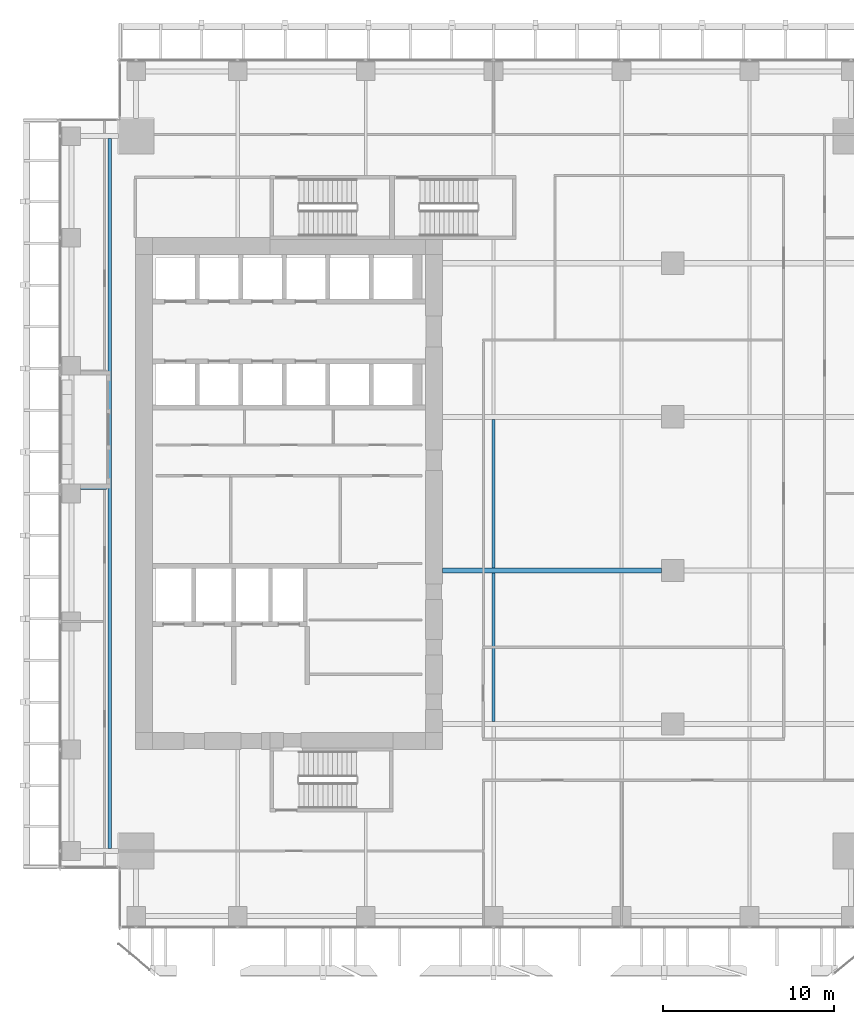
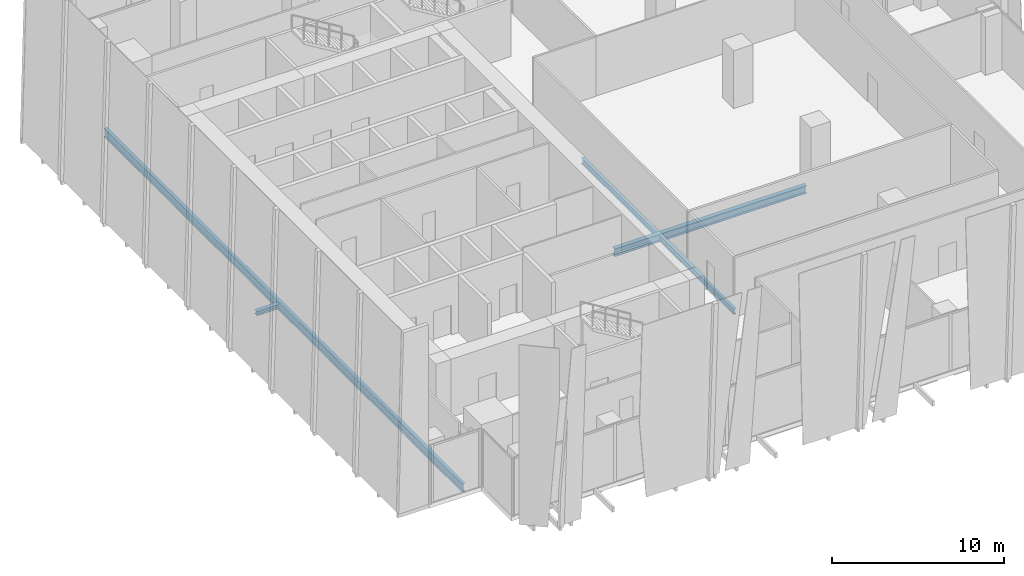
# One storey, part 6 of 35: 5 beams.
"""IFC4 building model written with IfcOpenShell, lengths in metres."""

from ifc_helpers import new_model, si_unit, direction, frame, origin, origin_2d, place, context, subcontext, project, spatial, i_section, extrude, source, transform, mapped, material, material_profile, profile_set, type_object, element, save


model = new_model("IFC4")

# Units and contexts
model_context = context("Model", 3, precision=1e-05, world=origin(), true_north=direction((0.0, 1.0)))
body_context = subcontext(model_context, "Body", "Model", "MODEL_VIEW")
ifc_project = project(units=[si_unit("LENGTHUNIT", "METRE"), si_unit("AREAUNIT", "SQUARE_METRE"), si_unit("VOLUMEUNIT", "CUBIC_METRE"), si_unit("PLANEANGLEUNIT", "RADIAN"), si_unit("MASSUNIT", "GRAM", prefix="KILO")], contexts=[model_context])

# Site, building, storey
site_placement = place(None, origin())
site = spatial("IfcSite", under=ifc_project, at=site_placement, CompositionType="ELEMENT")
building_placement = place(site_placement, origin())
building = spatial("IfcBuilding", under=site, at=building_placement, Name="Khomas Fold Tower", CompositionType="ELEMENT")
storey_placement = place(building_placement, frame((0.0, 0.0, 127.89990234375)))
storey = spatial("IfcBuildingStorey", under=building, at=storey_placement, Name="L27", CompositionType="ELEMENT", Elevation=127.89990234375)

# Beams
ifc_material_1 = material(Name="Steel S355", Category="steel")
ifc_material_profile_1 = material_profile(ifc_material_1, i_section(OverallWidth=0.179931640625, OverallDepth=0.39990234375, WebThickness=0.008544921875, FlangeThickness=0.013427734375, at=origin_2d()), Name="IPE 400")
ifc_profile_set_1 = profile_set([ifc_material_profile_1], Name="Steel S355")
beam_type_1 = type_object("IfcBeamType", Name="IPE 400 beam JB3", PredefinedType="BEAM", material=ifc_profile_set_1)
shared_shape_1 = source(origin(), body_context, "Body", "SweptSolid", [
    extrude(i_section(OverallWidth=0.179931640625, OverallDepth=0.39990234375, WebThickness=0.008544921875, FlangeThickness=0.013427734375, at=origin_2d()), origin(), (0.0, 0.0, 1.0), 8.7001953125),
])
for number, where, z_axis, x_axis, name in (
    (1, (27.0, 13.64990234375, -0.5), (0.0, 1.0, 0.0), (-1.0, 0.0, 0.0), "JB3"),
    (2, (27.0, 22.64990234375, -0.5), (0.0, 1.0, 0.0), (-1.0, 0.0, 0.0), "JB3"),
):
    element("IfcBeam", number, at=place(storey_placement, frame(where, z_axis=z_axis, x_axis=x_axis)), inside=storey, type_object=beam_type_1, Name=name, PredefinedType="BEAM", context=body_context, shape_type="MappedRepresentation", body=[
        mapped(shared_shape_1, transform((0.0, 0.0, 0.0))),
    ])
ifc_material_2 = material(Name="Steel S355", Category="steel")
ifc_material_profile_2 = material_profile(ifc_material_2, i_section(OverallWidth=0.300048828125, OverallDepth=0.550048828125, WebThickness=0.014892578125, FlangeThickness=0.029052734375, at=origin_2d()), Name="HE 550 B")
ifc_profile_set_2 = profile_set([ifc_material_profile_2], Name="Steel S355")
beam_type_2 = type_object("IfcBeamType", Name="HE 550 B beam GB4", PredefinedType="BEAM", material=ifc_profile_set_2)
shared_shape_2 = source(origin(), body_context, "Body", "SweptSolid", [
    extrude(i_section(OverallWidth=0.300048828125, OverallDepth=0.550048828125, WebThickness=0.014892578125, FlangeThickness=0.029052734375, at=origin_2d()), origin(), (0.0, 0.0, 1.0), 12.85009765625),
])
beam_1_placement = place(storey_placement, frame((24.0, 22.5, -0.574951171875), z_axis=(1.0, 0.0, 0.0), x_axis=(0.0, 1.0, 0.0)))
element("IfcBeam", 3, at=beam_1_placement, inside=storey, type_object=beam_type_2, Name="GB4", PredefinedType="BEAM", context=body_context, shape_type="MappedRepresentation", body=[
    mapped(shared_shape_2, transform((0.0, 0.0, 0.0))),
])
ifc_material_3 = material(Name="Steel S355", Category="steel")
ifc_material_profile_3 = material_profile(ifc_material_3, i_section(OverallWidth=0.219970703125, OverallDepth=0.60009765625, WebThickness=0.011962890625, FlangeThickness=0.01904296875, at=origin_2d()), Name="IPE 600")
ifc_profile_set_3 = profile_set([ifc_material_profile_3], Name="Steel S355")
beam_type_3 = type_object("IfcBeamType", Name="IPE 600 beam JB7", PredefinedType="BEAM", material=ifc_profile_set_3)
shared_shape_3 = source(origin(), body_context, "Body", "SweptSolid", [
    extrude(i_section(OverallWidth=0.219970703125, OverallDepth=0.60009765625, WebThickness=0.011962890625, FlangeThickness=0.01904296875, at=origin_2d()), origin(), (0.0, 0.0, 1.0), 41.60009765625),
])
beam_2_placement = place(storey_placement, frame((4.5, 6.199951171875, -0.599853515625), z_axis=(0.0, 1.0, 0.0), x_axis=(-1.0, 0.0, 0.0)))
element("IfcBeam", 4, at=beam_2_placement, inside=storey, type_object=beam_type_3, Name="JB7", PredefinedType="BEAM", context=body_context, shape_type="MappedRepresentation", body=[
    mapped(shared_shape_3, transform((0.0, 0.0, 0.0))),
])
ifc_material_4 = material(Name="Steel S355", Category="steel")
ifc_material_profile_4 = material_profile(ifc_material_4, i_section(OverallWidth=0.300048828125, OverallDepth=0.300048828125, WebThickness=0.010986328125, FlangeThickness=0.01904296875, at=origin_2d()), Name="HE 300 B")
ifc_profile_set_4 = profile_set([ifc_material_profile_4], Name="Steel S355")
beam_type_4 = type_object("IfcBeamType", Name="HE 300 B beam BB1", PredefinedType="BEAM", material=ifc_profile_set_4)
shared_shape_4 = source(origin(), body_context, "Body", "SweptSolid", [
    extrude(i_section(OverallWidth=0.300048828125, OverallDepth=0.300048828125, WebThickness=0.010986328125, FlangeThickness=0.01904296875, at=origin_2d()), origin(), (0.0, 0.0, 1.0), 1.5),
])
beam_3_placement = place(storey_placement, frame((2.800048828125, 27.39990234375, -0.449951171875), z_axis=(1.0, 0.0, 0.0), x_axis=(0.0, 1.0, 0.0)))
element("IfcBeam", 5, at=beam_3_placement, inside=storey, type_object=beam_type_4, Name="BB1", PredefinedType="BEAM", context=body_context, shape_type="MappedRepresentation", body=[
    mapped(shared_shape_4, transform((0.0, 0.0, 0.0))),
])

save(model, "model.ifc")
